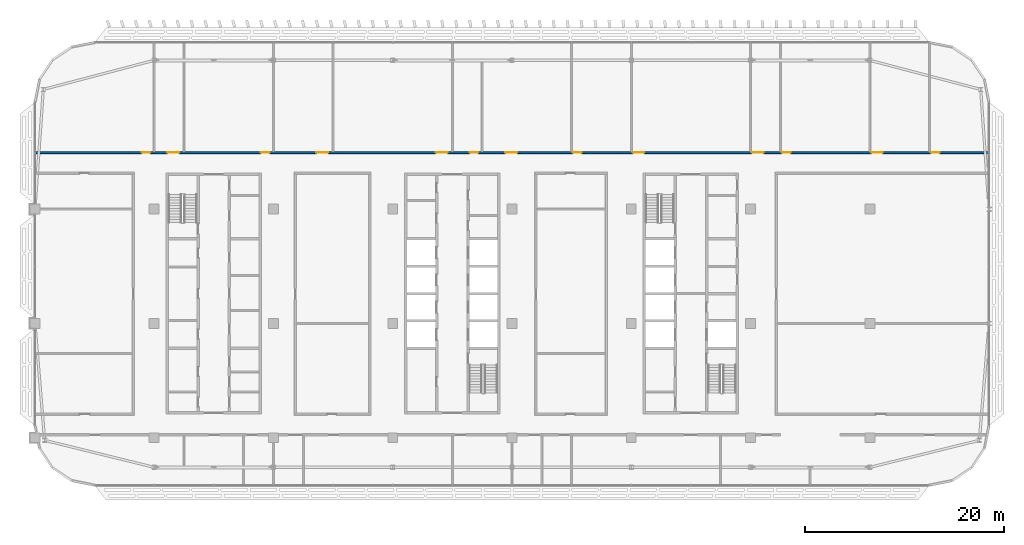
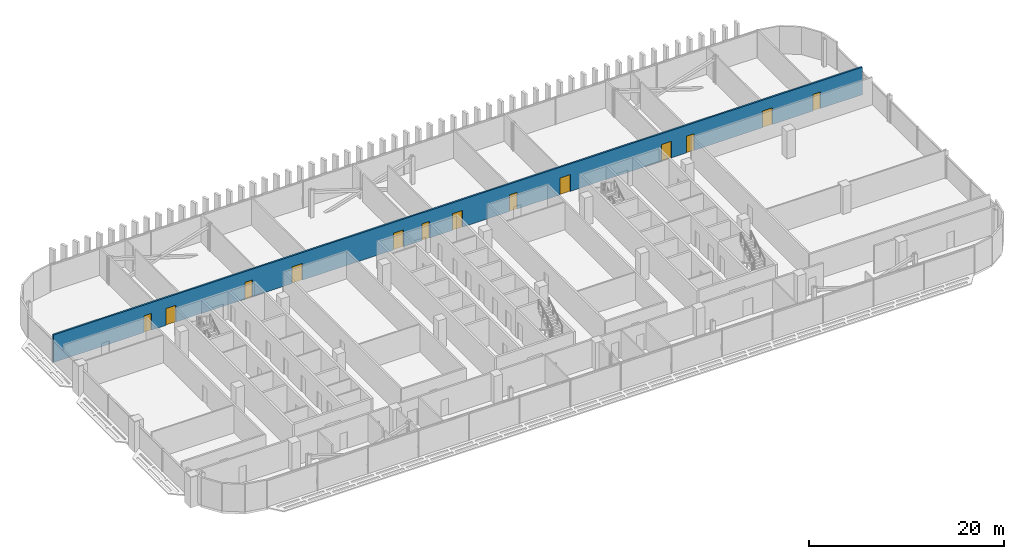
# One storey, part 20 of 32: 13 doors, 1 wall, 13 openings.
"""IFC4 building model written with IfcOpenShell, lengths in metres."""

from ifc_helpers import new_model, si_unit, direction, frame, frame_2d, origin, place, context, subcontext, project, spatial, rectangle, extrude, material, layer, layer_set, type_object, element, fill, save


model = new_model("IFC4")

# Units and contexts
model_context = context("Model", 3, precision=1e-05, world=origin(), true_north=direction((0.0, 1.0)))
body_context = subcontext(model_context, "Body", "Model", "MODEL_VIEW")
ifc_project = project(units=[si_unit("LENGTHUNIT", "METRE"), si_unit("AREAUNIT", "SQUARE_METRE"), si_unit("VOLUMEUNIT", "CUBIC_METRE"), si_unit("PLANEANGLEUNIT", "RADIAN"), si_unit("MASSUNIT", "GRAM", prefix="KILO")], contexts=[model_context])

# Site, building, storey
site_placement = place(None, origin())
site = spatial("IfcSite", under=ifc_project, at=site_placement, CompositionType="ELEMENT")
building_placement = place(site_placement, origin())
building = spatial("IfcBuilding", under=site, at=building_placement, Name="Mahtab Terrace Research Tower", CompositionType="ELEMENT")
storey_placement = place(building_placement, frame((0.0, 0.0, 236.199951171875)))
storey = spatial("IfcBuildingStorey", under=building, at=storey_placement, Name="L57", CompositionType="ELEMENT", Elevation=236.199951171875)

# Wall, openings, doors
ifc_material_1 = material(Name="Gypsum board corridor wall on steel studs", Category="steel")
ifc_layer = layer(ifc_material_1, 0.199951171875)
ifc_layer_set = layer_set([ifc_layer], Name="WALL CORRIDOR 200")
wall_type = type_object("IfcWallType", Name="WALL CORRIDOR 200", PredefinedType="PARTITIONING", material=ifc_layer_set)
wall_placement = place(storey_placement, frame((-41.97509765625, 17.199951171875, 0.0), z_axis=(0.0, 0.0, 1.0), x_axis=(1.0, 0.0, 0.0)))
wall = element("IfcWall", 1, at=wall_placement, inside=storey, type_object=wall_type, Name="L57-W025", PredefinedType="PARTITIONING", context=body_context, shape_type="SweptSolid", body=[
    extrude(rectangle(XDim=95.9501953125, YDim=0.199951171875, at=frame_2d((47.97509765625, 0.0))), origin(), (0.0, 0.0, 1.0), 3.4599609375),
])
opening_1_placement = place(wall_placement, frame((10.699951171875, 0.0, 0.0)))
opening_1 = element("IfcOpeningElement", 2, at=opening_1_placement, cuts=wall, Name="Opening L57-122", PredefinedType="OPENING", context=body_context, shape_type="SweptSolid", body=[
    extrude(rectangle(XDim=0.89990234375, YDim=2.10009765625, at=frame_2d((0.449951171875, 1.050048828125))), frame((0.0, 0.10986328125, 0.0), z_axis=(0.0, -1.0, 0.0), x_axis=(1.0, 0.0, 0.0)), (0.0, 0.0, 1.0), 0.219970703125),
])
opening_2_placement = place(wall_placement, frame((13.300048828125, 0.0, 0.0)))
opening_2 = element("IfcOpeningElement", 3, at=opening_2_placement, cuts=wall, Name="Opening L57-123", PredefinedType="OPENING", context=body_context, shape_type="SweptSolid", body=[
    extrude(rectangle(XDim=1.199951171875, YDim=2.10009765625, at=frame_2d((0.60009765625, 1.050048828125))), frame((0.0, 0.10986328125, 0.0), z_axis=(0.0, -1.0, 0.0), x_axis=(1.0, 0.0, 0.0)), (0.0, 0.0, 1.0), 0.219970703125),
])
opening_3_placement = place(wall_placement, frame((22.699951171875, 0.0, 0.0)))
opening_3 = element("IfcOpeningElement", 4, at=opening_3_placement, cuts=wall, Name="Opening L57-124", PredefinedType="OPENING", context=body_context, shape_type="SweptSolid", body=[
    extrude(rectangle(XDim=0.89990234375, YDim=2.10009765625, at=frame_2d((0.449951171875, 1.050048828125))), frame((0.0, 0.10986328125, 0.0), z_axis=(0.0, -1.0, 0.0), x_axis=(1.0, 0.0, 0.0)), (0.0, 0.0, 1.0), 0.219970703125),
])
opening_4_placement = place(wall_placement, frame((28.300048828125, 0.0, 0.0)))
opening_4 = element("IfcOpeningElement", 5, at=opening_4_placement, cuts=wall, Name="Opening L57-125", PredefinedType="OPENING", context=body_context, shape_type="SweptSolid", body=[
    extrude(rectangle(XDim=1.199951171875, YDim=2.10009765625, at=frame_2d((0.60009765625, 1.050048828125))), frame((0.0, 0.10986328125, 0.0), z_axis=(0.0, -1.0, 0.0), x_axis=(1.0, 0.0, 0.0)), (0.0, 0.0, 1.0), 0.219970703125),
])
opening_5_placement = place(wall_placement, frame((40.300048828125, 0.0, 0.0)))
opening_5 = element("IfcOpeningElement", 6, at=opening_5_placement, cuts=wall, Name="Opening L57-126", PredefinedType="OPENING", context=body_context, shape_type="SweptSolid", body=[
    extrude(rectangle(XDim=1.199951171875, YDim=2.10009765625, at=frame_2d((0.60009765625, 1.050048828125))), frame((0.0, 0.10986328125, 0.0), z_axis=(0.0, -1.0, 0.0), x_axis=(1.0, 0.0, 0.0)), (0.0, 0.0, 1.0), 0.219970703125),
])
opening_6_placement = place(wall_placement, frame((43.699951171875, 0.0, 0.0)))
opening_6 = element("IfcOpeningElement", 7, at=opening_6_placement, cuts=wall, Name="Opening L57-127", PredefinedType="OPENING", context=body_context, shape_type="SweptSolid", body=[
    extrude(rectangle(XDim=0.89990234375, YDim=2.10009765625, at=frame_2d((0.449951171875, 1.050048828125))), frame((0.0, 0.10986328125, 0.0), z_axis=(0.0, -1.0, 0.0), x_axis=(1.0, 0.0, 0.0)), (0.0, 0.0, 1.0), 0.219970703125),
])
opening_7_placement = place(wall_placement, frame((47.300048828125, 0.0, 0.0)))
opening_7 = element("IfcOpeningElement", 8, at=opening_7_placement, cuts=wall, Name="Opening L57-128", PredefinedType="OPENING", context=body_context, shape_type="SweptSolid", body=[
    extrude(rectangle(XDim=1.199951171875, YDim=2.10009765625, at=frame_2d((0.60009765625, 1.050048828125))), frame((0.0, 0.10986328125, 0.0), z_axis=(0.0, -1.0, 0.0), x_axis=(1.0, 0.0, 0.0)), (0.0, 0.0, 1.0), 0.219970703125),
])
opening_8_placement = place(wall_placement, frame((54.10009765625, 0.0, 0.0)))
opening_8 = element("IfcOpeningElement", 9, at=opening_8_placement, cuts=wall, Name="Opening L57-129", PredefinedType="OPENING", context=body_context, shape_type="SweptSolid", body=[
    extrude(rectangle(XDim=0.89990234375, YDim=2.10009765625, at=frame_2d((0.449951171875, 1.050048828125))), frame((0.0, 0.10986328125, 0.0), z_axis=(0.0, -1.0, 0.0), x_axis=(1.0, 0.0, 0.0)), (0.0, 0.0, 1.0), 0.219970703125),
])
opening_9_placement = place(wall_placement, frame((60.10009765625, 0.0, 0.0)))
opening_9 = element("IfcOpeningElement", 10, at=opening_9_placement, cuts=wall, Name="Opening L57-130", PredefinedType="OPENING", context=body_context, shape_type="SweptSolid", body=[
    extrude(rectangle(XDim=1.199951171875, YDim=2.10009765625, at=frame_2d((0.60009765625, 1.050048828125))), frame((0.0, 0.10986328125, 0.0), z_axis=(0.0, -1.0, 0.0), x_axis=(1.0, 0.0, 0.0)), (0.0, 0.0, 1.0), 0.219970703125),
])
opening_10_placement = place(wall_placement, frame((72.10009765625, 0.0, 0.0)))
opening_10 = element("IfcOpeningElement", 11, at=opening_10_placement, cuts=wall, Name="Opening L57-131", PredefinedType="OPENING", context=body_context, shape_type="SweptSolid", body=[
    extrude(rectangle(XDim=1.199951171875, YDim=2.10009765625, at=frame_2d((0.60009765625, 1.050048828125))), frame((0.0, 0.10986328125, 0.0), z_axis=(0.0, -1.0, 0.0), x_axis=(1.0, 0.0, 0.0)), (0.0, 0.0, 1.0), 0.219970703125),
])
opening_11_placement = place(wall_placement, frame((75.10009765625, 0.0, 0.0)))
opening_11 = element("IfcOpeningElement", 12, at=opening_11_placement, cuts=wall, Name="Opening L57-132", PredefinedType="OPENING", context=body_context, shape_type="SweptSolid", body=[
    extrude(rectangle(XDim=0.89990234375, YDim=2.10009765625, at=frame_2d((0.449951171875, 1.050048828125))), frame((0.0, 0.10986328125, 0.0), z_axis=(0.0, -1.0, 0.0), x_axis=(1.0, 0.0, 0.0)), (0.0, 0.0, 1.0), 0.219970703125),
])
opening_12_placement = place(wall_placement, frame((84.10009765625, 0.0, 0.0)))
opening_12 = element("IfcOpeningElement", 13, at=opening_12_placement, cuts=wall, Name="Opening L57-133", PredefinedType="OPENING", context=body_context, shape_type="SweptSolid", body=[
    extrude(rectangle(XDim=1.199951171875, YDim=2.10009765625, at=frame_2d((0.60009765625, 1.050048828125))), frame((0.0, 0.10986328125, 0.0), z_axis=(0.0, -1.0, 0.0), x_axis=(1.0, 0.0, 0.0)), (0.0, 0.0, 1.0), 0.219970703125),
])
opening_13_placement = place(wall_placement, frame((90.10009765625, 0.0, 0.0)))
opening_13 = element("IfcOpeningElement", 14, at=opening_13_placement, cuts=wall, Name="Opening L57-134", PredefinedType="OPENING", context=body_context, shape_type="SweptSolid", body=[
    extrude(rectangle(XDim=0.89990234375, YDim=2.10009765625, at=frame_2d((0.449951171875, 1.050048828125))), frame((0.0, 0.10986328125, 0.0), z_axis=(0.0, -1.0, 0.0), x_axis=(1.0, 0.0, 0.0)), (0.0, 0.0, 1.0), 0.219970703125),
])
ifc_material_2 = material(Name="Timber door leaf in steel frame", Category="steel")
door_type_1 = type_object("IfcDoorType", Name="DOOR 0900X2100 FD30S", OperationType="SINGLE_SWING_LEFT", PredefinedType="DOOR", material=ifc_material_2)
door_1_placement = place(opening_1_placement, origin())
door_1 = element("IfcDoor", 15, at=door_1_placement, inside=storey, type_object=door_type_1, Name="Door L57-122", OperationType="SINGLE_SWING_LEFT", OverallHeight=2.10009765625, OverallWidth=0.89990234375, PredefinedType="DOOR", context=body_context, shape_type="SweptSolid", body=[
    extrude(rectangle(XDim=0.89990234375, YDim=2.10009765625, at=frame_2d((0.449951171875, 1.050048828125))), frame((0.0, 0.02490234375, 0.0), z_axis=(0.0, -1.0, 0.0), x_axis=(1.0, 0.0, 0.0)), (0.0, 0.0, 1.0), 0.050048828125),
])
fill(opening_1, door_1)
door_2_placement = place(opening_3_placement, origin())
door_2 = element("IfcDoor", 16, at=door_2_placement, inside=storey, type_object=door_type_1, Name="Door L57-124", OperationType="SINGLE_SWING_LEFT", OverallHeight=2.10009765625, OverallWidth=0.89990234375, PredefinedType="DOOR", context=body_context, shape_type="SweptSolid", body=[
    extrude(rectangle(XDim=0.89990234375, YDim=2.10009765625, at=frame_2d((0.449951171875, 1.050048828125))), frame((0.0, 0.02490234375, 0.0), z_axis=(0.0, -1.0, 0.0), x_axis=(1.0, 0.0, 0.0)), (0.0, 0.0, 1.0), 0.050048828125),
])
fill(opening_3, door_2)
door_3_placement = place(opening_6_placement, origin())
door_3 = element("IfcDoor", 17, at=door_3_placement, inside=storey, type_object=door_type_1, Name="Door L57-127", OperationType="SINGLE_SWING_LEFT", OverallHeight=2.10009765625, OverallWidth=0.89990234375, PredefinedType="DOOR", context=body_context, shape_type="SweptSolid", body=[
    extrude(rectangle(XDim=0.89990234375, YDim=2.10009765625, at=frame_2d((0.449951171875, 1.050048828125))), frame((0.0, 0.02490234375, 0.0), z_axis=(0.0, -1.0, 0.0), x_axis=(1.0, 0.0, 0.0)), (0.0, 0.0, 1.0), 0.050048828125),
])
fill(opening_6, door_3)
door_4_placement = place(opening_8_placement, origin())
door_4 = element("IfcDoor", 18, at=door_4_placement, inside=storey, type_object=door_type_1, Name="Door L57-129", OperationType="SINGLE_SWING_RIGHT", OverallHeight=2.10009765625, OverallWidth=0.89990234375, PredefinedType="DOOR", context=body_context, shape_type="SweptSolid", body=[
    extrude(rectangle(XDim=0.89990234375, YDim=2.10009765625, at=frame_2d((0.449951171875, 1.050048828125))), frame((0.0, 0.02490234375, 0.0), z_axis=(0.0, -1.0, 0.0), x_axis=(1.0, 0.0, 0.0)), (0.0, 0.0, 1.0), 0.050048828125),
])
fill(opening_8, door_4)
door_5_placement = place(opening_11_placement, origin())
door_5 = element("IfcDoor", 19, at=door_5_placement, inside=storey, type_object=door_type_1, Name="Door L57-132", OperationType="SINGLE_SWING_RIGHT", OverallHeight=2.10009765625, OverallWidth=0.89990234375, PredefinedType="DOOR", context=body_context, shape_type="SweptSolid", body=[
    extrude(rectangle(XDim=0.89990234375, YDim=2.10009765625, at=frame_2d((0.449951171875, 1.050048828125))), frame((0.0, 0.02490234375, 0.0), z_axis=(0.0, -1.0, 0.0), x_axis=(1.0, 0.0, 0.0)), (0.0, 0.0, 1.0), 0.050048828125),
])
fill(opening_11, door_5)
door_6_placement = place(opening_13_placement, origin())
door_6 = element("IfcDoor", 20, at=door_6_placement, inside=storey, type_object=door_type_1, Name="Door L57-134", OperationType="SINGLE_SWING_RIGHT", OverallHeight=2.10009765625, OverallWidth=0.89990234375, PredefinedType="DOOR", context=body_context, shape_type="SweptSolid", body=[
    extrude(rectangle(XDim=0.89990234375, YDim=2.10009765625, at=frame_2d((0.449951171875, 1.050048828125))), frame((0.0, 0.02490234375, 0.0), z_axis=(0.0, -1.0, 0.0), x_axis=(1.0, 0.0, 0.0)), (0.0, 0.0, 1.0), 0.050048828125),
])
fill(opening_13, door_6)
door_type_2 = type_object("IfcDoorType", Name="DOOR 1200X2100 FD30S", OperationType="SINGLE_SWING_LEFT", PredefinedType="DOOR", material=ifc_material_2)
door_7_placement = place(opening_2_placement, origin())
door_7 = element("IfcDoor", 21, at=door_7_placement, inside=storey, type_object=door_type_2, Name="Door L57-123", OperationType="SINGLE_SWING_LEFT", OverallHeight=2.10009765625, OverallWidth=1.199951171875, PredefinedType="DOOR", context=body_context, shape_type="SweptSolid", body=[
    extrude(rectangle(XDim=1.199951171875, YDim=2.10009765625, at=frame_2d((0.60009765625, 1.050048828125))), frame((0.0, 0.02490234375, 0.0), z_axis=(0.0, -1.0, 0.0), x_axis=(1.0, 0.0, 0.0)), (0.0, 0.0, 1.0), 0.050048828125),
])
fill(opening_2, door_7)
door_8_placement = place(opening_4_placement, origin())
door_8 = element("IfcDoor", 22, at=door_8_placement, inside=storey, type_object=door_type_2, Name="Door L57-125", OperationType="SINGLE_SWING_LEFT", OverallHeight=2.10009765625, OverallWidth=1.199951171875, PredefinedType="DOOR", context=body_context, shape_type="SweptSolid", body=[
    extrude(rectangle(XDim=1.199951171875, YDim=2.10009765625, at=frame_2d((0.60009765625, 1.050048828125))), frame((0.0, 0.02490234375, 0.0), z_axis=(0.0, -1.0, 0.0), x_axis=(1.0, 0.0, 0.0)), (0.0, 0.0, 1.0), 0.050048828125),
])
fill(opening_4, door_8)
door_9_placement = place(opening_5_placement, origin())
door_9 = element("IfcDoor", 23, at=door_9_placement, inside=storey, type_object=door_type_2, Name="Door L57-126", OperationType="SINGLE_SWING_LEFT", OverallHeight=2.10009765625, OverallWidth=1.199951171875, PredefinedType="DOOR", context=body_context, shape_type="SweptSolid", body=[
    extrude(rectangle(XDim=1.199951171875, YDim=2.10009765625, at=frame_2d((0.60009765625, 1.050048828125))), frame((0.0, 0.02490234375, 0.0), z_axis=(0.0, -1.0, 0.0), x_axis=(1.0, 0.0, 0.0)), (0.0, 0.0, 1.0), 0.050048828125),
])
fill(opening_5, door_9)
door_10_placement = place(opening_7_placement, origin())
door_10 = element("IfcDoor", 24, at=door_10_placement, inside=storey, type_object=door_type_2, Name="Door L57-128", OperationType="SINGLE_SWING_RIGHT", OverallHeight=2.10009765625, OverallWidth=1.199951171875, PredefinedType="DOOR", context=body_context, shape_type="SweptSolid", body=[
    extrude(rectangle(XDim=1.199951171875, YDim=2.10009765625, at=frame_2d((0.60009765625, 1.050048828125))), frame((0.0, 0.02490234375, 0.0), z_axis=(0.0, -1.0, 0.0), x_axis=(1.0, 0.0, 0.0)), (0.0, 0.0, 1.0), 0.050048828125),
])
fill(opening_7, door_10)
door_11_placement = place(opening_9_placement, origin())
door_11 = element("IfcDoor", 25, at=door_11_placement, inside=storey, type_object=door_type_2, Name="Door L57-130", OperationType="SINGLE_SWING_RIGHT", OverallHeight=2.10009765625, OverallWidth=1.199951171875, PredefinedType="DOOR", context=body_context, shape_type="SweptSolid", body=[
    extrude(rectangle(XDim=1.199951171875, YDim=2.10009765625, at=frame_2d((0.60009765625, 1.050048828125))), frame((0.0, 0.02490234375, 0.0), z_axis=(0.0, -1.0, 0.0), x_axis=(1.0, 0.0, 0.0)), (0.0, 0.0, 1.0), 0.050048828125),
])
fill(opening_9, door_11)
door_12_placement = place(opening_10_placement, origin())
door_12 = element("IfcDoor", 26, at=door_12_placement, inside=storey, type_object=door_type_2, Name="Door L57-131", OperationType="SINGLE_SWING_RIGHT", OverallHeight=2.10009765625, OverallWidth=1.199951171875, PredefinedType="DOOR", context=body_context, shape_type="SweptSolid", body=[
    extrude(rectangle(XDim=1.199951171875, YDim=2.10009765625, at=frame_2d((0.60009765625, 1.050048828125))), frame((0.0, 0.02490234375, 0.0), z_axis=(0.0, -1.0, 0.0), x_axis=(1.0, 0.0, 0.0)), (0.0, 0.0, 1.0), 0.050048828125),
])
fill(opening_10, door_12)
door_13_placement = place(opening_12_placement, origin())
door_13 = element("IfcDoor", 27, at=door_13_placement, inside=storey, type_object=door_type_2, Name="Door L57-133", OperationType="SINGLE_SWING_RIGHT", OverallHeight=2.10009765625, OverallWidth=1.199951171875, PredefinedType="DOOR", context=body_context, shape_type="SweptSolid", body=[
    extrude(rectangle(XDim=1.199951171875, YDim=2.10009765625, at=frame_2d((0.60009765625, 1.050048828125))), frame((0.0, 0.02490234375, 0.0), z_axis=(0.0, -1.0, 0.0), x_axis=(1.0, 0.0, 0.0)), (0.0, 0.0, 1.0), 0.050048828125),
])
fill(opening_12, door_13)

save(model, "model.ifc")
